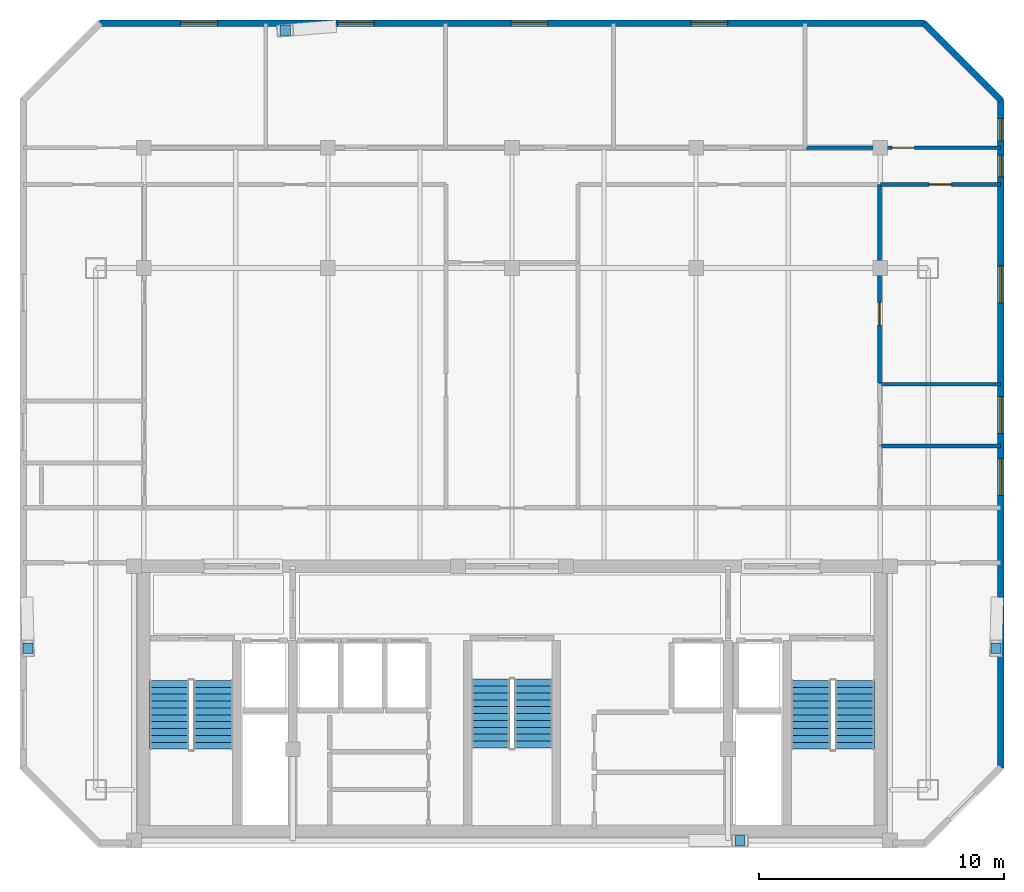
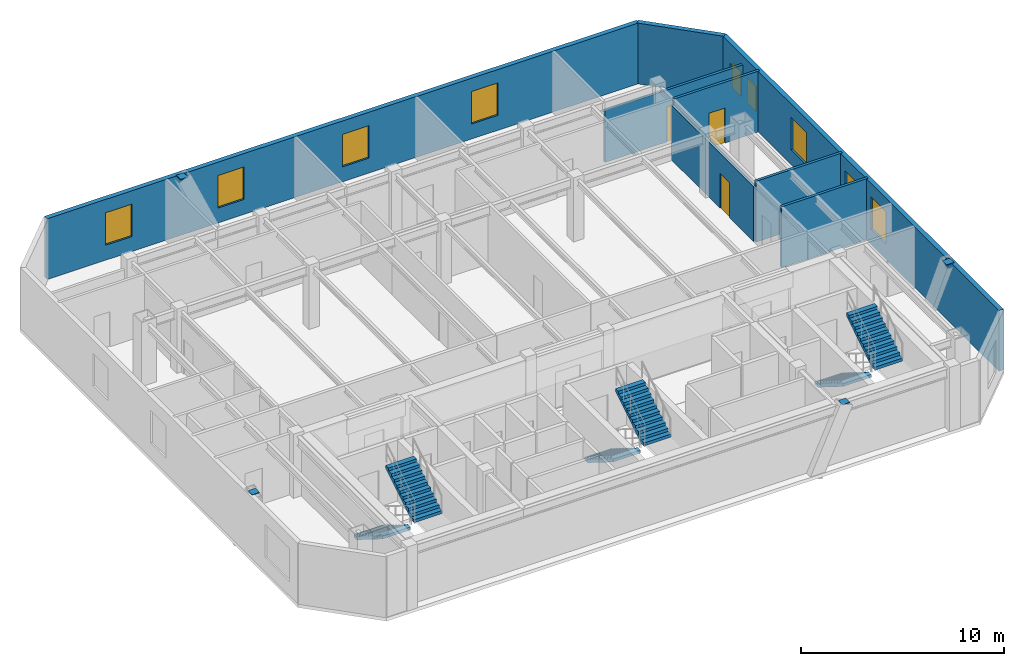
# One storey, part 5 of 6: 9 windows, 8 walls, 6 stair flights, 4 discrete accessories, 3 doors, 12 openings, 3 elements without a shape of their own.
"""IFC4 building model written with IfcOpenShell, lengths in metres."""

from ifc_helpers import new_model, si_unit, direction, frame, frame_2d, origin, origin_2d, place, context, subcontext, project, spatial, polyline, rectangle, outline, extrude, material, layer, layer_set, type_object, element, fill, aggregate, save


model = new_model("IFC4")

# Units and contexts
model_context = context("Model", 3, precision=1e-05, world=origin(), true_north=direction((0.0, 1.0)))
body_context = subcontext(model_context, "Body", "Model", "MODEL_VIEW")
ifc_project = project(units=[si_unit("LENGTHUNIT", "METRE"), si_unit("AREAUNIT", "SQUARE_METRE"), si_unit("VOLUMEUNIT", "CUBIC_METRE"), si_unit("PLANEANGLEUNIT", "RADIAN"), si_unit("MASSUNIT", "GRAM", prefix="KILO")], contexts=[model_context])

# Site, building, storey
site_placement = place(None, origin())
site = spatial("IfcSite", under=ifc_project, at=site_placement, CompositionType="ELEMENT")
building_placement = place(site_placement, origin())
building = spatial("IfcBuilding", under=site, at=building_placement, Name="Ventersveld Concourse Tower", CompositionType="ELEMENT")
storey_placement = place(building_placement, frame((0.0, 0.0, 300.300048828125)))
storey = spatial("IfcBuildingStorey", under=building, at=storey_placement, Name="L74", CompositionType="ELEMENT", Elevation=300.300048828125)

# Wall, opening, door
ifc_material_1 = material(Name="Autoclaved aerated masonry blockwork", Category="masonry")
ifc_layer_1 = layer(ifc_material_1, 0.14990234375)
ifc_layer_set_1 = layer_set([ifc_layer_1], Name="Autoclaved aerated masonry blockwork")
wall_type_1 = type_object("IfcWallType", Name="WL-INT-150", PredefinedType="PARTITIONING", material=ifc_layer_set_1)
wall_1_placement = place(storey_placement, frame((43.721435546875, 18.907958984375, 0.0), z_axis=(0.0, 0.0, 1.0), x_axis=(0.0, 1.0, 0.0)))
wall_1 = element("IfcWall", 1, at=wall_1_placement, inside=storey, type_object=wall_type_1, Name="L74 Interior Partition SP-L74-74N1-EGAL1-SP-L74-74N1-OFFR1", PredefinedType="PARTITIONING", context=body_context, shape_type="SweptSolid", body=[
    extrude(rectangle(XDim=8.096923828125, YDim=0.14990234375, at=frame_2d((4.04833984375, 0.0))), origin(), (0.0, 0.0, 1.0), 3.294921875),
])
opening_1_placement = place(wall_1_placement, frame((2.373779296875, 0.0, 0.0)))
opening_1 = element("IfcOpeningElement", 2, at=opening_1_placement, cuts=wall_1, Name="Opening ID1", PredefinedType="OPENING", context=body_context, shape_type="SweptSolid", body=[
    extrude(rectangle(XDim=0.919921875, YDim=2.10009765625, at=frame_2d((0.4599609375, 1.050048828125))), frame((0.0, 0.0849609375, 0.0), z_axis=(0.0, -1.0, 0.0), x_axis=(1.0, 0.0, 0.0)), (0.0, 0.0, 1.0), 0.169921875),
])
ifc_material_2 = material(Name="Solid-core hardwood veneer timber", Category="wood")
door_type = type_object("IfcDoorType", Name="DR-ROOM-092", OperationType="NOTDEFINED", PredefinedType="DOOR", material=ifc_material_2)
door_1_placement = place(opening_1_placement, origin())
door_1 = element("IfcDoor", 3, at=door_1_placement, inside=storey, type_object=door_type, Name="L74 Interior Door SP-L74-74N1-EGAL1 to SP-L74-74N1-OFFR1 (D-L74-3431)", OperationType="SINGLE_SWING_LEFT", OverallHeight=2.10009765625, OverallWidth=0.919921875, PredefinedType="DOOR", context=body_context, shape_type="SweptSolid", body=[
    extrude(rectangle(XDim=0.919921875, YDim=2.10009765625, at=frame_2d((0.4599609375, 1.050048828125))), frame((0.0, 0.02490234375, 0.0), z_axis=(0.0, -1.0, 0.0), x_axis=(1.0, 0.0, 0.0)), (0.0, 0.0, 1.0), 0.050048828125),
])
fill(opening_1, door_1)

wall_2_placement = place(storey_placement, frame((43.75634765625, 27.0, 0.0), z_axis=(0.0, 0.0, 1.0), x_axis=(1.0, 0.0, 0.0)))
wall_2 = element("IfcWall", 4, at=wall_2_placement, inside=storey, type_object=wall_type_1, Name="L74 Interior Partition SP-L74-74N1-LIV-SP-L74-74N1-OFFR1", PredefinedType="PARTITIONING", context=body_context, shape_type="SweptSolid", body=[
    extrude(rectangle(XDim=4.885498046875, YDim=0.14990234375, at=frame_2d((2.44287109375, 0.0))), origin(), (0.0, 0.0, 1.0), 3.64990234375),
])
opening_2_placement = place(wall_2_placement, frame((1.98291015625, 0.0, 0.0)))
opening_2 = element("IfcOpeningElement", 5, at=opening_2_placement, cuts=wall_2, Name="Opening ID1", PredefinedType="OPENING", context=body_context, shape_type="SweptSolid", body=[
    extrude(rectangle(XDim=0.919921875, YDim=2.10009765625, at=frame_2d((0.4599609375, 1.050048828125))), frame((0.0, 0.0849609375, 0.0), z_axis=(0.0, -1.0, 0.0), x_axis=(1.0, 0.0, 0.0)), (0.0, 0.0, 1.0), 0.169921875),
])
door_2_placement = place(opening_2_placement, origin())
door_2 = element("IfcDoor", 6, at=door_2_placement, inside=storey, type_object=door_type, Name="L74 Interior Door SP-L74-74N1-LIV to SP-L74-74N1-OFFR1 (D-L74-3434)", OperationType="SINGLE_SWING_RIGHT", OverallHeight=2.10009765625, OverallWidth=0.919921875, PredefinedType="DOOR", context=body_context, shape_type="SweptSolid", body=[
    extrude(rectangle(XDim=0.919921875, YDim=2.10009765625, at=frame_2d((0.4599609375, 1.050048828125))), frame((0.0, 0.02490234375, 0.0), z_axis=(0.0, -1.0, 0.0), x_axis=(1.0, 0.0, 0.0)), (0.0, 0.0, 1.0), 0.050048828125),
])
fill(opening_2, door_2)

wall_3_placement = place(storey_placement, frame((40.716796875, 28.5, 0.0), z_axis=(0.0, 0.0, 1.0), x_axis=(1.0, 0.0, 0.0)))
wall_3 = element("IfcWall", 7, at=wall_3_placement, inside=storey, type_object=wall_type_1, Name="L74 Interior Partition SP-L74-74N1-LIV-SP-L74-74N1-BR5", PredefinedType="PARTITIONING", context=body_context, shape_type="SweptSolid", body=[
    extrude(rectangle(XDim=7.925048828125, YDim=0.14990234375, at=frame_2d((3.96240234375, 0.0))), origin(), (0.0, 0.0, 1.0), 3.116943359375),
])
opening_3_placement = place(wall_3_placement, frame((3.502685546875, 0.0, 0.0)))
opening_3 = element("IfcOpeningElement", 8, at=opening_3_placement, cuts=wall_3, Name="Opening ID1", PredefinedType="OPENING", context=body_context, shape_type="SweptSolid", body=[
    extrude(rectangle(XDim=0.919921875, YDim=2.10009765625, at=frame_2d((0.4599609375, 1.050048828125))), frame((0.0, 0.0849609375, 0.0), z_axis=(0.0, -1.0, 0.0), x_axis=(1.0, 0.0, 0.0)), (0.0, 0.0, 1.0), 0.169921875),
])
door_3_placement = place(opening_3_placement, origin())
door_3 = element("IfcDoor", 9, at=door_3_placement, inside=storey, type_object=door_type, Name="L74 Interior Door SP-L74-74N1-LIV to SP-L74-74N1-BR5 (D-L74-3439)", OperationType="SINGLE_SWING_LEFT", OverallHeight=2.10009765625, OverallWidth=0.919921875, PredefinedType="DOOR", context=body_context, shape_type="SweptSolid", body=[
    extrude(rectangle(XDim=0.919921875, YDim=2.10009765625, at=frame_2d((0.4599609375, 1.050048828125))), frame((0.0, 0.02490234375, 0.0), z_axis=(0.0, -1.0, 0.0), x_axis=(1.0, 0.0, 0.0)), (0.0, 0.0, 1.0), 0.050048828125),
])
fill(opening_3, door_3)

# Walls
for number, where, z_axis, x_axis, name in (
    (10, (43.71630859375, 16.3515625, 0.0), (0.0, 0.0, 1.0), (1.0, 0.0, 0.0), "L74 Interior Partition SP-L74-74N1-KIT-SP-L74-74N1-PANR3"),
    (11, (43.71630859375, 18.873046875, 0.0), (0.0, 0.0, 1.0), (1.0, 0.0, 0.0), "L74 Interior Partition SP-L74-74N1-PANR3-SP-L74-74N1-OFFR1"),
):
    element("IfcWall", number, at=place(storey_placement, frame(where, z_axis=z_axis, x_axis=x_axis)), inside=storey, type_object=wall_type_1, Name=name, PredefinedType="PARTITIONING", context=body_context, shape_type="SweptSolid", body=[
        extrude(rectangle(XDim=4.925537109375, YDim=0.14990234375, at=frame_2d((2.462890625, 0.0))), origin(), (0.0, 0.0, 1.0), 3.64990234375),
    ])

# Wall, openings, windows
ifc_material_3 = material(Name="Precast concrete C45/55", Category="concrete")
ifc_layer_2 = layer(ifc_material_3, 0.260009765625)
ifc_layer_set_2 = layer_set([ifc_layer_2], Name="Precast concrete C45/55")
wall_type_2 = type_object("IfcWallType", Name="WL-PREC-260", PredefinedType="SOLIDWALL", material=ifc_layer_set_2)
wall_4_placement = place(storey_placement, frame((48.661376953125, 3.239990234375, 0.0), z_axis=(0.0, 0.0, 1.0), x_axis=(0.0, 1.0, 0.0)))
wall_4 = element("IfcWall", 12, at=wall_4_placement, inside=storey, type_object=wall_type_2, Name="L74 Highveld Precast Facade Wall E03", PredefinedType="SOLIDWALL", context=body_context, shape_type="SweptSolid", body=[
    extrude(rectangle(XDim=27.224365234375, YDim=0.260009765625, at=frame_2d((13.6123046875, 0.0))), origin(), (0.0, 0.0, 1.0), 3.64990234375),
])
opening_4_placement = place(wall_4_placement, frame((24.06005859375, 0.0, 0.949951171875)))
opening_4 = element("IfcOpeningElement", 13, at=opening_4_placement, cuts=wall_4, Name="Opening W4", PredefinedType="OPENING", context=body_context, shape_type="SweptSolid", body=[
    extrude(rectangle(XDim=0.89990234375, YDim=1.5, at=frame_2d((0.449951171875, 0.75))), frame((0.0, 0.14013671875, 0.0), z_axis=(0.0, -1.0, 0.0), x_axis=(1.0, 0.0, 0.0)), (0.0, 0.0, 1.0), 0.280029296875),
])
opening_5_placement = place(wall_4_placement, frame((11.100830078125, 0.0, 0.89990234375)))
opening_5 = element("IfcOpeningElement", 14, at=opening_5_placement, cuts=wall_4, Name="Opening W1", PredefinedType="OPENING", context=body_context, shape_type="SweptSolid", body=[
    extrude(rectangle(XDim=1.5, YDim=1.949951171875, at=frame_2d((0.75, 0.97509765625))), frame((0.0, 0.14013671875, 0.0), z_axis=(0.0, -1.0, 0.0), x_axis=(1.0, 0.0, 0.0)), (0.0, 0.0, 1.0), 0.280029296875),
])
opening_6_placement = place(wall_4_placement, frame((13.622314453125, 0.0, 0.89990234375)))
opening_6 = element("IfcOpeningElement", 15, at=opening_6_placement, cuts=wall_4, Name="Opening W1", PredefinedType="OPENING", context=body_context, shape_type="SweptSolid", body=[
    extrude(rectangle(XDim=1.5, YDim=1.949951171875, at=frame_2d((0.75, 0.97509765625))), frame((0.0, 0.14013671875, 0.0), z_axis=(0.0, -1.0, 0.0), x_axis=(1.0, 0.0, 0.0)), (0.0, 0.0, 1.0), 0.280029296875),
])
opening_7_placement = place(wall_4_placement, frame((18.946533203125, 0.0, 0.89990234375)))
opening_7 = element("IfcOpeningElement", 16, at=opening_7_placement, cuts=wall_4, Name="Opening W1", PredefinedType="OPENING", context=body_context, shape_type="SweptSolid", body=[
    extrude(rectangle(XDim=1.5, YDim=1.949951171875, at=frame_2d((0.75, 0.97509765625))), frame((0.0, 0.14013671875, 0.0), z_axis=(0.0, -1.0, 0.0), x_axis=(1.0, 0.0, 0.0)), (0.0, 0.0, 1.0), 0.280029296875),
])
opening_8_placement = place(wall_4_placement, frame((25.54443359375, 0.0, 0.949951171875)))
opening_8 = element("IfcOpeningElement", 17, at=opening_8_placement, cuts=wall_4, Name="Opening W4", PredefinedType="OPENING", context=body_context, shape_type="SweptSolid", body=[
    extrude(rectangle(XDim=0.89990234375, YDim=1.5, at=frame_2d((0.449951171875, 0.75))), frame((0.0, 0.14013671875, 0.0), z_axis=(0.0, -1.0, 0.0), x_axis=(1.0, 0.0, 0.0)), (0.0, 0.0, 1.0), 0.280029296875),
])
ifc_material_4 = material(Name="Tempered acoustic Low-E IGU", Category="glass")
window_type_1 = type_object("IfcWindowType", Name="WIN-090x150", PartitioningType="SINGLE_PANEL", PredefinedType="WINDOW", material=ifc_material_4)
window_1_placement = place(opening_4_placement, origin())
window_1 = element("IfcWindow", 18, at=window_1_placement, inside=storey, type_object=window_type_1, Name="L74 Punched Low-E Window W-1051", OverallHeight=1.5, OverallWidth=0.89990234375, PartitioningType="SINGLE_PANEL", PredefinedType="WINDOW", context=body_context, shape_type="SweptSolid", body=[
    extrude(rectangle(XDim=0.89990234375, YDim=1.5, at=frame_2d((0.449951171875, 0.75))), frame((0.0, 0.030029296875, 0.0), z_axis=(0.0, -1.0, 0.0), x_axis=(1.0, 0.0, 0.0)), (0.0, 0.0, 1.0), 0.06005859375),
])
fill(opening_4, window_1)
window_2_placement = place(opening_8_placement, origin())
window_2 = element("IfcWindow", 19, at=window_2_placement, inside=storey, type_object=window_type_1, Name="L74 Punched Low-E Window W-1061", OverallHeight=1.5, OverallWidth=0.89990234375, PartitioningType="SINGLE_PANEL", PredefinedType="WINDOW", context=body_context, shape_type="SweptSolid", body=[
    extrude(rectangle(XDim=0.89990234375, YDim=1.5, at=frame_2d((0.449951171875, 0.75))), frame((0.0, 0.030029296875, 0.0), z_axis=(0.0, -1.0, 0.0), x_axis=(1.0, 0.0, 0.0)), (0.0, 0.0, 1.0), 0.06005859375),
])
fill(opening_8, window_2)
window_type_2 = type_object("IfcWindowType", Name="WIN-150x210", PartitioningType="SINGLE_PANEL", PredefinedType="WINDOW", material=ifc_material_4)
window_3_placement = place(opening_5_placement, origin())
window_3 = element("IfcWindow", 20, at=window_3_placement, inside=storey, type_object=window_type_2, Name="L74 Punched Low-E Window W-1054", OverallHeight=1.949951171875, OverallWidth=1.5, PartitioningType="SINGLE_PANEL", PredefinedType="WINDOW", context=body_context, shape_type="SweptSolid", body=[
    extrude(rectangle(XDim=1.5, YDim=1.949951171875, at=frame_2d((0.75, 0.97509765625))), frame((0.0, 0.030029296875, 0.0), z_axis=(0.0, -1.0, 0.0), x_axis=(1.0, 0.0, 0.0)), (0.0, 0.0, 1.0), 0.06005859375),
])
fill(opening_5, window_3)
window_4_placement = place(opening_6_placement, origin())
window_4 = element("IfcWindow", 21, at=window_4_placement, inside=storey, type_object=window_type_2, Name="L74 Punched Low-E Window W-1055", OverallHeight=1.949951171875, OverallWidth=1.5, PartitioningType="SINGLE_PANEL", PredefinedType="WINDOW", context=body_context, shape_type="SweptSolid", body=[
    extrude(rectangle(XDim=1.5, YDim=1.949951171875, at=frame_2d((0.75, 0.97509765625))), frame((0.0, 0.030029296875, 0.0), z_axis=(0.0, -1.0, 0.0), x_axis=(1.0, 0.0, 0.0)), (0.0, 0.0, 1.0), 0.06005859375),
])
fill(opening_6, window_4)
window_5_placement = place(opening_7_placement, origin())
window_5 = element("IfcWindow", 22, at=window_5_placement, inside=storey, type_object=window_type_2, Name="L74 Punched Low-E Window W-1056", OverallHeight=1.949951171875, OverallWidth=1.5, PartitioningType="SINGLE_PANEL", PredefinedType="WINDOW", context=body_context, shape_type="SweptSolid", body=[
    extrude(rectangle(XDim=1.5, YDim=1.949951171875, at=frame_2d((0.75, 0.97509765625))), frame((0.0, 0.030029296875, 0.0), z_axis=(0.0, -1.0, 0.0), x_axis=(1.0, 0.0, 0.0)), (0.0, 0.0, 1.0), 0.06005859375),
])
fill(opening_7, window_5)

# Wall
wall_5_placement = place(storey_placement, frame((48.671142578125, 30.44091796875, 0.0), z_axis=(0.0, 0.0, 1.0), x_axis=(-0.707106781187, 0.707106781187, 0.0)))
element("IfcWall", 23, at=wall_5_placement, inside=storey, type_object=wall_type_2, Name="L74 Highveld Precast Facade Wall E04", PredefinedType="SOLIDWALL", context=body_context, shape_type="SweptSolid", body=[
    extrude(rectangle(XDim=4.4453125, YDim=0.260009765625, at=frame_2d((2.22265625, 0.0))), origin(), (0.0, 0.0, 1.0), 3.64990234375),
])

# Wall, openings, windows
wall_6_placement = place(storey_placement, frame((45.551513671875, 33.574462890625, 0.0), z_axis=(0.0, 0.0, 1.0), x_axis=(-1.0, 0.0, 0.0)))
wall_6 = element("IfcWall", 24, at=wall_6_placement, inside=storey, type_object=wall_type_2, Name="L74 Highveld Precast Facade Wall E05", PredefinedType="SOLIDWALL", context=body_context, shape_type="SweptSolid", body=[
    extrude(rectangle(XDim=33.60302734375, YDim=0.260009765625, at=frame_2d((16.801513671875, 0.0))), origin(), (0.0, 0.0, 1.0), 3.64990234375),
])
opening_9_placement = place(wall_6_placement, frame((28.80078125, 0.0, 0.89990234375)))
opening_9 = element("IfcOpeningElement", 25, at=opening_9_placement, cuts=wall_6, Name="Opening W1", PredefinedType="OPENING", context=body_context, shape_type="SweptSolid", body=[
    extrude(rectangle(XDim=1.5, YDim=1.949951171875, at=frame_2d((0.75, 0.97509765625))), frame((0.0, 0.14013671875, 0.0), z_axis=(0.0, -1.0, 0.0), x_axis=(1.0, 0.0, 0.0)), (0.0, 0.0, 1.0), 0.280029296875),
])
opening_10_placement = place(wall_6_placement, frame((22.419189453125, 0.0, 0.89990234375)))
opening_10 = element("IfcOpeningElement", 26, at=opening_10_placement, cuts=wall_6, Name="Opening W1", PredefinedType="OPENING", context=body_context, shape_type="SweptSolid", body=[
    extrude(rectangle(XDim=1.5, YDim=1.949951171875, at=frame_2d((0.75, 0.97509765625))), frame((0.0, 0.14013671875, 0.0), z_axis=(0.0, -1.0, 0.0), x_axis=(1.0, 0.0, 0.0)), (0.0, 0.0, 1.0), 0.280029296875),
])
opening_11_placement = place(wall_6_placement, frame((15.33740234375, 0.0, 0.89990234375)))
opening_11 = element("IfcOpeningElement", 27, at=opening_11_placement, cuts=wall_6, Name="Opening W1", PredefinedType="OPENING", context=body_context, shape_type="SweptSolid", body=[
    extrude(rectangle(XDim=1.5, YDim=1.949951171875, at=frame_2d((0.75, 0.97509765625))), frame((0.0, 0.14013671875, 0.0), z_axis=(0.0, -1.0, 0.0), x_axis=(1.0, 0.0, 0.0)), (0.0, 0.0, 1.0), 0.280029296875),
])
opening_12_placement = place(wall_6_placement, frame((8.017578125, 0.0, 0.89990234375)))
opening_12 = element("IfcOpeningElement", 28, at=opening_12_placement, cuts=wall_6, Name="Opening W1", PredefinedType="OPENING", context=body_context, shape_type="SweptSolid", body=[
    extrude(rectangle(XDim=1.5, YDim=1.949951171875, at=frame_2d((0.75, 0.97509765625))), frame((0.0, 0.14013671875, 0.0), z_axis=(0.0, -1.0, 0.0), x_axis=(1.0, 0.0, 0.0)), (0.0, 0.0, 1.0), 0.280029296875),
])
window_6_placement = place(opening_9_placement, origin())
window_6 = element("IfcWindow", 29, at=window_6_placement, inside=storey, type_object=window_type_2, Name="L74 Punched Low-E Window W-1057", OverallHeight=1.949951171875, OverallWidth=1.5, PartitioningType="SINGLE_PANEL", PredefinedType="WINDOW", context=body_context, shape_type="SweptSolid", body=[
    extrude(rectangle(XDim=1.5, YDim=1.949951171875, at=frame_2d((0.75, 0.97509765625))), frame((0.0, 0.030029296875, 0.0), z_axis=(0.0, -1.0, 0.0), x_axis=(1.0, 0.0, 0.0)), (0.0, 0.0, 1.0), 0.06005859375),
])
fill(opening_9, window_6)
window_7_placement = place(opening_10_placement, origin())
window_7 = element("IfcWindow", 30, at=window_7_placement, inside=storey, type_object=window_type_2, Name="L74 Punched Low-E Window W-1058", OverallHeight=1.949951171875, OverallWidth=1.5, PartitioningType="SINGLE_PANEL", PredefinedType="WINDOW", context=body_context, shape_type="SweptSolid", body=[
    extrude(rectangle(XDim=1.5, YDim=1.949951171875, at=frame_2d((0.75, 0.97509765625))), frame((0.0, 0.030029296875, 0.0), z_axis=(0.0, -1.0, 0.0), x_axis=(1.0, 0.0, 0.0)), (0.0, 0.0, 1.0), 0.06005859375),
])
fill(opening_10, window_7)
window_8_placement = place(opening_11_placement, origin())
window_8 = element("IfcWindow", 31, at=window_8_placement, inside=storey, type_object=window_type_2, Name="L74 Punched Low-E Window W-1059", OverallHeight=1.949951171875, OverallWidth=1.5, PartitioningType="SINGLE_PANEL", PredefinedType="WINDOW", context=body_context, shape_type="SweptSolid", body=[
    extrude(rectangle(XDim=1.5, YDim=1.949951171875, at=frame_2d((0.75, 0.97509765625))), frame((0.0, 0.030029296875, 0.0), z_axis=(0.0, -1.0, 0.0), x_axis=(1.0, 0.0, 0.0)), (0.0, 0.0, 1.0), 0.06005859375),
])
fill(opening_11, window_8)
window_9_placement = place(opening_12_placement, origin())
window_9 = element("IfcWindow", 32, at=window_9_placement, inside=storey, type_object=window_type_2, Name="L74 Punched Low-E Window W-1060", OverallHeight=1.949951171875, OverallWidth=1.5, PartitioningType="SINGLE_PANEL", PredefinedType="WINDOW", context=body_context, shape_type="SweptSolid", body=[
    extrude(rectangle(XDim=1.5, YDim=1.949951171875, at=frame_2d((0.75, 0.97509765625))), frame((0.0, 0.030029296875, 0.0), z_axis=(0.0, -1.0, 0.0), x_axis=(1.0, 0.0, 0.0)), (0.0, 0.0, 1.0), 0.06005859375),
])
fill(opening_12, window_9)

# Stair, stair flights
ifc_material_5 = material(Name="Concrete C50/60", Category="concrete")
stair_type_1 = type_object("IfcStairType", Name="ST-DOG-155", PredefinedType="HALF_TURN_STAIR", material=ifc_material_5)
stair_1_placement = place(storey_placement, origin())
stair_1 = element("IfcStair", 33, at=stair_1_placement, inside=storey, type_object=stair_type_1, Name="L74 Protected Central Core Escape Stair ST-03", PredefinedType="HALF_TURN_STAIR")
stair_flight_type_1 = type_object("IfcStairFlightType", Name="STF-RC-155", PredefinedType="STRAIGHT", material=ifc_material_5)
stair_flight_1_placement = place(storey_placement, frame((27.875, 6.85009765625, 0.0), z_axis=(0.0, 0.0, 1.0), x_axis=(0.0, -1.0, 0.0)))
stair_flight_1 = element("IfcStairFlight", 34, at=stair_flight_1_placement, type_object=stair_flight_type_1, Name="ST-03 flight 1", NumberOfRisers=11, NumberOfTreads=10, PredefinedType="STRAIGHT", RiserHeight=0.175, TreadLength=0.28, context=body_context, shape_type="SweptSolid", body=[
    extrude(outline(polyline([(0.0, 0.0), (0.0, 0.175048828125), (0.280029296875, 0.175048828125), (0.280029296875, 0.35009765625), (0.56005859375, 0.35009765625), (0.56005859375, 0.52490234375), (0.840087890625, 0.52490234375), (0.840087890625, 0.699951171875), (1.1201171875, 0.699951171875), (1.1201171875, 0.875), (1.39990234375, 0.875), (1.39990234375, 1.050048828125), (1.679931640625, 1.050048828125), (1.679931640625, 1.22509765625), (1.9599609375, 1.22509765625), (1.9599609375, 1.39990234375), (2.239990234375, 1.39990234375), (2.239990234375, 1.574951171875), (2.52001953125, 1.574951171875), (2.52001953125, 1.75), (2.800048828125, 1.75), (2.800048828125, 1.925048828125), (2.800048828125, 1.5732421875), (0.28271484375, 0.0), (0.0, 0.0)])), frame((0.0, 0.77490234375, 0.0), z_axis=(0.0, -1.0, 0.0), x_axis=(1.0, 0.0, 0.0)), (0.0, 0.0, 1.0), 1.550048828125),
])
stair_flight_2_placement = place(storey_placement, frame((29.625, 4.050048828125, 1.925048828125), z_axis=(0.0, 0.0, 1.0), x_axis=(0.0, 1.0, 0.0)))
stair_flight_2 = element("IfcStairFlight", 35, at=stair_flight_2_placement, type_object=stair_flight_type_1, Name="ST-03 flight 2", NumberOfRisers=11, NumberOfTreads=10, PredefinedType="STRAIGHT", RiserHeight=0.175, TreadLength=0.28, context=body_context, shape_type="SweptSolid", body=[
    extrude(outline(polyline([(0.0, 0.0), (0.0, 0.175048828125), (0.280029296875, 0.175048828125), (0.280029296875, 0.35009765625), (0.56005859375, 0.35009765625), (0.56005859375, 0.52490234375), (0.840087890625, 0.52490234375), (0.840087890625, 0.699951171875), (1.1201171875, 0.699951171875), (1.1201171875, 0.875), (1.39990234375, 0.875), (1.39990234375, 1.050048828125), (1.679931640625, 1.050048828125), (1.679931640625, 1.22509765625), (1.9599609375, 1.22509765625), (1.9599609375, 1.39990234375), (2.239990234375, 1.39990234375), (2.239990234375, 1.574951171875), (2.52001953125, 1.574951171875), (2.52001953125, 1.75), (2.800048828125, 1.75), (2.800048828125, 1.925048828125), (2.800048828125, 1.5732421875), (0.28271484375, 0.0), (0.0, 0.0)])), frame((0.0, 0.77490234375, 0.0), z_axis=(0.0, -1.0, 0.0), x_axis=(1.0, 0.0, 0.0)), (0.0, 0.0, 1.0), 1.550048828125),
])
aggregate(stair_1, [stair_flight_1, stair_flight_2])

stair_type_2 = type_object("IfcStairType", Name="ST-DOG-160", PredefinedType="HALF_TURN_STAIR", material=ifc_material_5)
stair_2_placement = place(storey_placement, origin())
stair_2 = element("IfcStair", 36, at=stair_2_placement, inside=storey, type_object=stair_type_2, Name="L74 Protected Tower Escape Stair ST-01", PredefinedType="HALF_TURN_STAIR")
stair_flight_type_2 = type_object("IfcStairFlightType", Name="STF-RC-160", PredefinedType="STRAIGHT", material=ifc_material_5)
stair_flight_3_placement = place(storey_placement, frame((14.780029296875, 6.800048828125, 0.0), z_axis=(0.0, 0.0, 1.0), x_axis=(0.0, -1.0, 0.0)))
stair_flight_3 = element("IfcStairFlight", 37, at=stair_flight_3_placement, type_object=stair_flight_type_2, Name="ST-01 flight 1", NumberOfRisers=11, NumberOfTreads=10, PredefinedType="STRAIGHT", RiserHeight=0.175, TreadLength=0.28, context=body_context, shape_type="SweptSolid", body=[
    extrude(outline(polyline([(0.0, 0.0), (0.0, 0.175048828125), (0.280029296875, 0.175048828125), (0.280029296875, 0.35009765625), (0.56005859375, 0.35009765625), (0.56005859375, 0.52490234375), (0.840087890625, 0.52490234375), (0.840087890625, 0.699951171875), (1.1201171875, 0.699951171875), (1.1201171875, 0.875), (1.39990234375, 0.875), (1.39990234375, 1.050048828125), (1.679931640625, 1.050048828125), (1.679931640625, 1.22509765625), (1.9599609375, 1.22509765625), (1.9599609375, 1.39990234375), (2.239990234375, 1.39990234375), (2.239990234375, 1.574951171875), (2.52001953125, 1.574951171875), (2.52001953125, 1.75), (2.800048828125, 1.75), (2.800048828125, 1.925048828125), (2.800048828125, 1.5732421875), (0.28271484375, 0.0), (0.0, 0.0)])), frame((0.0, 0.800048828125, 0.0), z_axis=(0.0, -1.0, 0.0), x_axis=(1.0, 0.0, 0.0)), (0.0, 0.0, 1.0), 1.60009765625),
])
stair_flight_4_placement = place(storey_placement, frame((16.580078125, 4.0, 1.925048828125), z_axis=(0.0, 0.0, 1.0), x_axis=(0.0, 1.0, 0.0)))
stair_flight_4 = element("IfcStairFlight", 38, at=stair_flight_4_placement, type_object=stair_flight_type_2, Name="ST-01 flight 2", NumberOfRisers=11, NumberOfTreads=10, PredefinedType="STRAIGHT", RiserHeight=0.175, TreadLength=0.28, context=body_context, shape_type="SweptSolid", body=[
    extrude(outline(polyline([(0.0, 0.0), (0.0, 0.175048828125), (0.280029296875, 0.175048828125), (0.280029296875, 0.35009765625), (0.56005859375, 0.35009765625), (0.56005859375, 0.52490234375), (0.840087890625, 0.52490234375), (0.840087890625, 0.699951171875), (1.1201171875, 0.699951171875), (1.1201171875, 0.875), (1.39990234375, 0.875), (1.39990234375, 1.050048828125), (1.679931640625, 1.050048828125), (1.679931640625, 1.22509765625), (1.9599609375, 1.22509765625), (1.9599609375, 1.39990234375), (2.239990234375, 1.39990234375), (2.239990234375, 1.574951171875), (2.52001953125, 1.574951171875), (2.52001953125, 1.75), (2.800048828125, 1.75), (2.800048828125, 1.925048828125), (2.800048828125, 1.5732421875), (0.28271484375, 0.0), (0.0, 0.0)])), frame((0.0, 0.800048828125, 0.0), z_axis=(0.0, -1.0, 0.0), x_axis=(1.0, 0.0, 0.0)), (0.0, 0.0, 1.0), 1.60009765625),
])
aggregate(stair_2, [stair_flight_3, stair_flight_4])

stair_3_placement = place(storey_placement, origin())
stair_3 = element("IfcStair", 39, at=stair_3_placement, inside=storey, type_object=stair_type_2, Name="L74 Protected Tower Escape Stair ST-02", PredefinedType="HALF_TURN_STAIR")
stair_flight_5_placement = place(storey_placement, frame((40.919921875, 6.800048828125, 0.0), z_axis=(0.0, 0.0, 1.0), x_axis=(0.0, -1.0, 0.0)))
stair_flight_5 = element("IfcStairFlight", 40, at=stair_flight_5_placement, type_object=stair_flight_type_2, Name="ST-02 flight 1", NumberOfRisers=11, NumberOfTreads=10, PredefinedType="STRAIGHT", RiserHeight=0.175, TreadLength=0.28, context=body_context, shape_type="SweptSolid", body=[
    extrude(outline(polyline([(0.0, 0.0), (0.0, 0.175048828125), (0.280029296875, 0.175048828125), (0.280029296875, 0.35009765625), (0.56005859375, 0.35009765625), (0.56005859375, 0.52490234375), (0.840087890625, 0.52490234375), (0.840087890625, 0.699951171875), (1.1201171875, 0.699951171875), (1.1201171875, 0.875), (1.39990234375, 0.875), (1.39990234375, 1.050048828125), (1.679931640625, 1.050048828125), (1.679931640625, 1.22509765625), (1.9599609375, 1.22509765625), (1.9599609375, 1.39990234375), (2.239990234375, 1.39990234375), (2.239990234375, 1.574951171875), (2.52001953125, 1.574951171875), (2.52001953125, 1.75), (2.800048828125, 1.75), (2.800048828125, 1.925048828125), (2.800048828125, 1.5732421875), (0.28271484375, 0.0), (0.0, 0.0)])), frame((0.0, 0.800048828125, 0.0), z_axis=(0.0, -1.0, 0.0), x_axis=(1.0, 0.0, 0.0)), (0.0, 0.0, 1.0), 1.60009765625),
])
stair_flight_6_placement = place(storey_placement, frame((42.719970703125, 4.0, 1.925048828125), z_axis=(0.0, 0.0, 1.0), x_axis=(0.0, 1.0, 0.0)))
stair_flight_6 = element("IfcStairFlight", 41, at=stair_flight_6_placement, type_object=stair_flight_type_2, Name="ST-02 flight 2", NumberOfRisers=11, NumberOfTreads=10, PredefinedType="STRAIGHT", RiserHeight=0.175, TreadLength=0.28, context=body_context, shape_type="SweptSolid", body=[
    extrude(outline(polyline([(0.0, 0.0), (0.0, 0.175048828125), (0.280029296875, 0.175048828125), (0.280029296875, 0.35009765625), (0.56005859375, 0.35009765625), (0.56005859375, 0.52490234375), (0.840087890625, 0.52490234375), (0.840087890625, 0.699951171875), (1.1201171875, 0.699951171875), (1.1201171875, 0.875), (1.39990234375, 0.875), (1.39990234375, 1.050048828125), (1.679931640625, 1.050048828125), (1.679931640625, 1.22509765625), (1.9599609375, 1.22509765625), (1.9599609375, 1.39990234375), (2.239990234375, 1.39990234375), (2.239990234375, 1.574951171875), (2.52001953125, 1.574951171875), (2.52001953125, 1.75), (2.800048828125, 1.75), (2.800048828125, 1.925048828125), (2.800048828125, 1.5732421875), (0.28271484375, 0.0), (0.0, 0.0)])), frame((0.0, 0.800048828125, 0.0), z_axis=(0.0, -1.0, 0.0), x_axis=(1.0, 0.0, 0.0)), (0.0, 0.0, 1.0), 1.60009765625),
])
aggregate(stair_3, [stair_flight_5, stair_flight_6])

# Discrete accessories
ifc_material_6 = material(Name="Structural steel S355J2", Category="steel")
discrete_accessory_type = type_object("IfcDiscreteAccessoryType", Name="CONN-BRACE-ECP1", PredefinedType="BRACKET", material=ifc_material_6)
for number, where, z_axis, x_axis, name in (
    (42, (19.510498046875, 33.28125, 3.6298828125), (0.0, 0.0, 1.0), (1.0, 0.0, 0.0), "L74 Steel Brace End Connection Plate ECP1-0484"),
    (43, (38.03955078125, 0.280029296875, 3.6298828125), (0.0, 0.0, 1.0), (1.0, 0.0, 0.0), "L74 Steel Brace End Connection Plate ECP1-0488"),
    (44, (9.0380859375, 8.110595703125, 3.6298828125), (0.0, 0.0, 1.0), (1.0, 0.0, 0.0), "L74 Steel Brace End Connection Plate ECP1-0492"),
    (45, (48.4619140625, 8.110595703125, 3.6298828125), (0.0, 0.0, 1.0), (1.0, 0.0, 0.0), "L74 Steel Brace End Connection Plate ECP1-0496"),
):
    element("IfcDiscreteAccessory", number, at=place(storey_placement, frame(where, z_axis=z_axis, x_axis=x_axis)), inside=storey, type_object=discrete_accessory_type, Name=name, PredefinedType="BRACKET", context=body_context, shape_type="SweptSolid", body=[
        extrude(rectangle(XDim=0.419921875, YDim=0.419921875, at=origin_2d()), origin(), (0.0, 0.0, 1.0), 0.0400390625),
    ])

save(model, "model.ifc")
